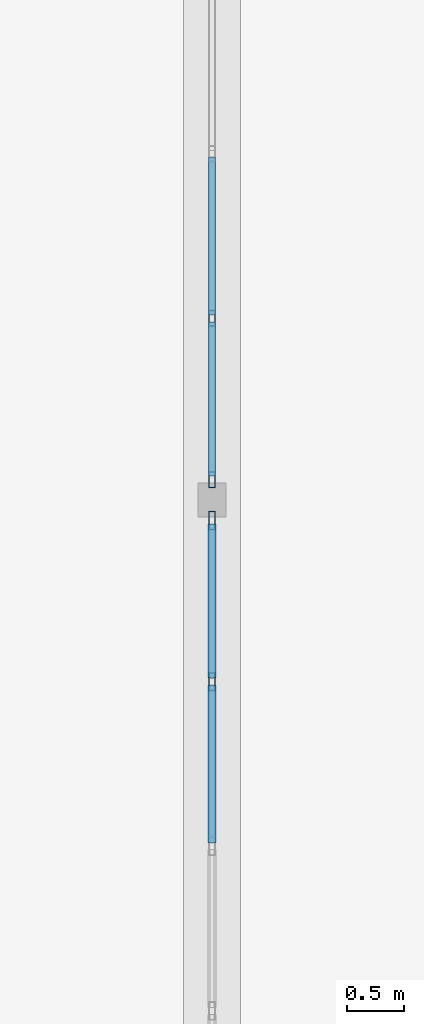
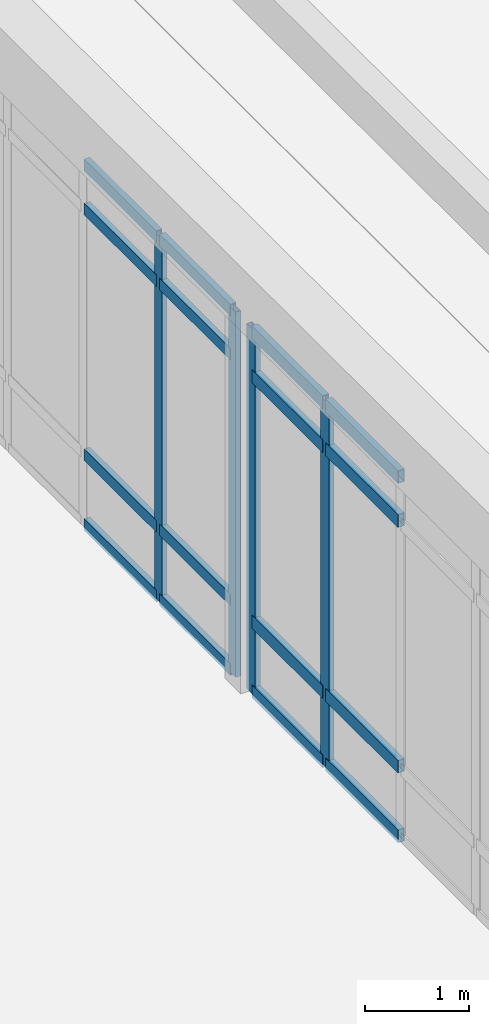
# One storey, part 41 of 138: 20 members, 2 elements without a shape of their own.
"""IFC4 building model written with IfcOpenShell, lengths in metres."""

from ifc_helpers import new_model, si_unit, direction, frame, origin, origin_2d, place, context, subcontext, project, spatial, hollow_rectangle, extrude, material, layer, layer_set, material_profile, profile_set, type_object, element, aggregate, save


model = new_model("IFC4")

# Units and contexts
model_context = context("Model", 3, precision=1e-05, world=origin(), true_north=direction((0.0, 1.0)))
body_context = subcontext(model_context, "Body", "Model", "MODEL_VIEW")
ifc_project = project(units=[si_unit("LENGTHUNIT", "METRE"), si_unit("AREAUNIT", "SQUARE_METRE"), si_unit("VOLUMEUNIT", "CUBIC_METRE"), si_unit("PLANEANGLEUNIT", "RADIAN"), si_unit("MASSUNIT", "GRAM", prefix="KILO")], contexts=[model_context])

# Site, building, storey
site_placement = place(None, origin())
site = spatial("IfcSite", under=ifc_project, at=site_placement, CompositionType="ELEMENT")
building_placement = place(site_placement, origin())
building = spatial("IfcBuilding", under=site, at=building_placement, Name="Fikremerkos Civic Library", CompositionType="ELEMENT")
storey_placement = place(building_placement, origin())
storey = spatial("IfcBuildingStorey", under=building, at=storey_placement, Name="L00", CompositionType="ELEMENT", Elevation=0.0)

# Curtain wall, members
ifc_material = material(Name="Anodized aluminium Frame", Category="aluminium")
ifc_layer_1 = layer(ifc_material, 0.159912109375, Name="Anodized aluminium Frame")
ifc_layer_set_1 = layer_set([ifc_layer_1], Name="Anodized aluminium Frame")
curtain_wall_type_1 = type_object("IfcCurtainWallType", Name="Unitised curtain wall CW-10 4000x3400", PredefinedType="USERDEFINED", material=ifc_layer_set_1)
curtain_wall_1_placement = place(storey_placement, origin())
curtain_wall_1 = element("IfcCurtainWall", 1, at=curtain_wall_1_placement, inside=storey, type_object=curtain_wall_type_1, Name="Unitised curtain wall CW-10 L00 #28", ObjectType="UNITISED CURTAIN WALL", PredefinedType="USERDEFINED")
ifc_material_profile_1 = material_profile(ifc_material, hollow_rectangle(XDim=0.06005859375, YDim=0.159912109375, WallThickness=0.00390625, at=origin_2d()), Name="ALU 160x60x4")
ifc_profile_set_1 = profile_set([ifc_material_profile_1], Name="Anodized aluminium Frame")
member_type_1 = type_object("IfcMemberType", Name="Curtain mullion CWM-02 ALU 160x60x4", PredefinedType="MULLION", material=ifc_profile_set_1)
member_1_placement = place(storey_placement, frame((124.800048828125, 81.767822265625, 0.0), z_axis=(0.0, 0.0, 1.0), x_axis=(-1.0, 0.0, 0.0)))
member_1 = element("IfcMember", 2, at=member_1_placement, type_object=member_type_1, Name="CW-10 mullion 4", PredefinedType="MULLION", context=body_context, shape_type="SweptSolid", body=[
    extrude(hollow_rectangle(XDim=0.06005859375, YDim=0.159912109375, WallThickness=0.00390625, at=origin_2d()), origin(), (0.0, 0.0, 1.0), 4.280029296875),
])
member_2_placement = place(storey_placement, frame((124.800048828125, 83.18603515625, 0.0), z_axis=(0.0, 0.0, 1.0), x_axis=(-1.0, 0.0, 0.0)))
member_2 = element("IfcMember", 3, at=member_2_placement, type_object=member_type_1, Name="CW-10 mullion 5", PredefinedType="MULLION", context=body_context, shape_type="SweptSolid", body=[
    extrude(hollow_rectangle(XDim=0.06005859375, YDim=0.159912109375, WallThickness=0.00390625, at=origin_2d()), origin(), (0.0, 0.0, 1.0), 4.280029296875),
])

ifc_layer_2 = layer(ifc_material, 0.159912109375, Name="Anodized aluminium Frame")
ifc_layer_set_2 = layer_set([ifc_layer_2], Name="Anodized aluminium Frame")
curtain_wall_type_2 = type_object("IfcCurtainWallType", Name="Unitised curtain wall CW-11 3200x3400", PredefinedType="USERDEFINED", material=ifc_layer_set_2)
curtain_wall_2_placement = place(storey_placement, origin())
curtain_wall_2 = element("IfcCurtainWall", 4, at=curtain_wall_2_placement, inside=storey, type_object=curtain_wall_type_2, Name="Unitised curtain wall CW-11 L00 #29", ObjectType="UNITISED CURTAIN WALL", PredefinedType="USERDEFINED")
ifc_material_profile_2 = material_profile(ifc_material, hollow_rectangle(XDim=0.06005859375, YDim=0.139892578125, WallThickness=0.00390625, at=origin_2d()), Name="ALU 140x60x4")
ifc_profile_set_2 = profile_set([ifc_material_profile_2], Name="Anodized aluminium Frame")
member_type_2 = type_object("IfcMemberType", Name="Curtain mullion CWM-03 ALU 140x60x4", PredefinedType="MULLION", material=ifc_profile_set_2)
member_3_placement = place(storey_placement, frame((124.800048828125, 83.5458984375, 0.0), z_axis=(0.0, 0.0, 1.0), x_axis=(-1.0, 0.0, 0.0)))
member_3 = element("IfcMember", 5, at=member_3_placement, type_object=member_type_2, Name="CW-11 mullion 1", PredefinedType="MULLION", context=body_context, shape_type="SweptSolid", body=[
    extrude(hollow_rectangle(XDim=0.06005859375, YDim=0.139892578125, WallThickness=0.00390625, at=origin_2d()), origin(), (0.0, 0.0, 1.0), 4.280029296875),
])
member_4_placement = place(storey_placement, frame((124.800048828125, 84.96435546875, 0.0), z_axis=(0.0, 0.0, 1.0), x_axis=(-1.0, 0.0, 0.0)))
member_4 = element("IfcMember", 6, at=member_4_placement, type_object=member_type_2, Name="CW-11 mullion 2", PredefinedType="MULLION", context=body_context, shape_type="SweptSolid", body=[
    extrude(hollow_rectangle(XDim=0.06005859375, YDim=0.139892578125, WallThickness=0.00390625, at=origin_2d()), origin(), (0.0, 0.0, 1.0), 4.280029296875),
])

# Member
ifc_material_profile_3 = material_profile(ifc_material, hollow_rectangle(XDim=0.070068359375, YDim=0.14990234375, WallThickness=0.00439453125, at=origin_2d()), Name="ALU 150x70x4.5")
ifc_profile_set_3 = profile_set([ifc_material_profile_3], Name="Anodized aluminium Frame")
member_type_3 = type_object("IfcMemberType", Name="Curtain transom CWT-01 ALU 150x70x4.5", PredefinedType="USERDEFINED", material=ifc_profile_set_3)
member_5_placement = place(storey_placement, frame((124.800048828125, 80.349609375, 0.034912109375), z_axis=(0.0, 1.0, 0.0), x_axis=(-1.0, 0.0, 0.0)))
member_5 = element("IfcMember", 7, at=member_5_placement, type_object=member_type_3, Name="CW-10 transom 3.1", ObjectType="TRANSOM", PredefinedType="USERDEFINED", context=body_context, shape_type="SweptSolid", body=[
    extrude(hollow_rectangle(XDim=0.070068359375, YDim=0.14990234375, WallThickness=0.00439453125, at=origin_2d()), origin(), (0.0, 0.0, 1.0), 1.38818359375),
])

member_6_placement = place(storey_placement, frame((124.800048828125, 80.349609375, 0.85009765625), z_axis=(0.0, 1.0, 0.0), x_axis=(-1.0, 0.0, 0.0)))
member_6 = element("IfcMember", 8, at=member_6_placement, type_object=member_type_3, Name="CW-10 transom 3.2", ObjectType="TRANSOM", PredefinedType="USERDEFINED", context=body_context, shape_type="SweptSolid", body=[
    extrude(hollow_rectangle(XDim=0.070068359375, YDim=0.14990234375, WallThickness=0.00439453125, at=origin_2d()), origin(), (0.0, 0.0, 1.0), 1.38818359375),
])

member_7_placement = place(storey_placement, frame((124.800048828125, 80.349609375, 3.72998046875), z_axis=(0.0, 1.0, 0.0), x_axis=(-1.0, 0.0, 0.0)))
member_7 = element("IfcMember", 9, at=member_7_placement, type_object=member_type_3, Name="CW-10 transom 3.3", ObjectType="TRANSOM", PredefinedType="USERDEFINED", context=body_context, shape_type="SweptSolid", body=[
    extrude(hollow_rectangle(XDim=0.070068359375, YDim=0.14990234375, WallThickness=0.00439453125, at=origin_2d()), origin(), (0.0, 0.0, 1.0), 1.38818359375),
])

member_8_placement = place(storey_placement, frame((124.800048828125, 80.349609375, 4.2451171875), z_axis=(0.0, 1.0, 0.0), x_axis=(-1.0, 0.0, 0.0)))
member_8 = element("IfcMember", 10, at=member_8_placement, type_object=member_type_3, Name="CW-10 transom 3.4", ObjectType="TRANSOM", PredefinedType="USERDEFINED", context=body_context, shape_type="SweptSolid", body=[
    extrude(hollow_rectangle(XDim=0.070068359375, YDim=0.14990234375, WallThickness=0.00439453125, at=origin_2d()), origin(), (0.0, 0.0, 1.0), 1.38818359375),
])

member_9_placement = place(storey_placement, frame((124.800048828125, 81.7978515625, 0.034912109375), z_axis=(0.0, 1.0, 0.0), x_axis=(-1.0, 0.0, 0.0)))
member_9 = element("IfcMember", 11, at=member_9_placement, type_object=member_type_3, Name="CW-10 transom 4.1", ObjectType="TRANSOM", PredefinedType="USERDEFINED", context=body_context, shape_type="SweptSolid", body=[
    extrude(hollow_rectangle(XDim=0.070068359375, YDim=0.14990234375, WallThickness=0.00439453125, at=origin_2d()), origin(), (0.0, 0.0, 1.0), 1.358154296875),
])

member_10_placement = place(storey_placement, frame((124.800048828125, 81.7978515625, 0.85009765625), z_axis=(0.0, 1.0, 0.0), x_axis=(-1.0, 0.0, 0.0)))
member_10 = element("IfcMember", 12, at=member_10_placement, type_object=member_type_3, Name="CW-10 transom 4.2", ObjectType="TRANSOM", PredefinedType="USERDEFINED", context=body_context, shape_type="SweptSolid", body=[
    extrude(hollow_rectangle(XDim=0.070068359375, YDim=0.14990234375, WallThickness=0.00439453125, at=origin_2d()), origin(), (0.0, 0.0, 1.0), 1.358154296875),
])

member_11_placement = place(storey_placement, frame((124.800048828125, 81.7978515625, 3.72998046875), z_axis=(0.0, 1.0, 0.0), x_axis=(-1.0, 0.0, 0.0)))
member_11 = element("IfcMember", 13, at=member_11_placement, type_object=member_type_3, Name="CW-10 transom 4.3", ObjectType="TRANSOM", PredefinedType="USERDEFINED", context=body_context, shape_type="SweptSolid", body=[
    extrude(hollow_rectangle(XDim=0.070068359375, YDim=0.14990234375, WallThickness=0.00439453125, at=origin_2d()), origin(), (0.0, 0.0, 1.0), 1.358154296875),
])

member_12_placement = place(storey_placement, frame((124.800048828125, 81.7978515625, 4.2451171875), z_axis=(0.0, 1.0, 0.0), x_axis=(-1.0, 0.0, 0.0)))
member_12 = element("IfcMember", 14, at=member_12_placement, type_object=member_type_3, Name="CW-10 transom 4.4", ObjectType="TRANSOM", PredefinedType="USERDEFINED", context=body_context, shape_type="SweptSolid", body=[
    extrude(hollow_rectangle(XDim=0.070068359375, YDim=0.14990234375, WallThickness=0.00439453125, at=origin_2d()), origin(), (0.0, 0.0, 1.0), 1.358154296875),
])

aggregate(curtain_wall_1, [member_1, member_2, member_5, member_6, member_7, member_8, member_9, member_10, member_11, member_12])

ifc_material_profile_4 = material_profile(ifc_material, hollow_rectangle(XDim=0.06494140625, YDim=0.135009765625, WallThickness=0.00439453125, at=origin_2d()), Name="ALU 135x65x4.5")
ifc_profile_set_4 = profile_set([ifc_material_profile_4], Name="Anodized aluminium Frame")
member_type_4 = type_object("IfcMemberType", Name="Curtain transom CWT-02 ALU 135x65x4.5", PredefinedType="USERDEFINED", material=ifc_profile_set_4)
member_13_placement = place(storey_placement, frame((124.800048828125, 83.575927734375, 0.032470703125), z_axis=(0.0, 1.0, 0.0), x_axis=(-1.0, 0.0, 0.0)))
member_13 = element("IfcMember", 15, at=member_13_placement, type_object=member_type_4, Name="CW-11 transom 1.1", ObjectType="TRANSOM", PredefinedType="USERDEFINED", context=body_context, shape_type="SweptSolid", body=[
    extrude(hollow_rectangle(XDim=0.06494140625, YDim=0.135009765625, WallThickness=0.00439453125, at=origin_2d()), origin(), (0.0, 0.0, 1.0), 1.3583984375),
])

member_14_placement = place(storey_placement, frame((124.800048828125, 83.575927734375, 0.85009765625), z_axis=(0.0, 1.0, 0.0), x_axis=(-1.0, 0.0, 0.0)))
member_14 = element("IfcMember", 16, at=member_14_placement, type_object=member_type_4, Name="CW-11 transom 1.2", ObjectType="TRANSOM", PredefinedType="USERDEFINED", context=body_context, shape_type="SweptSolid", body=[
    extrude(hollow_rectangle(XDim=0.06494140625, YDim=0.135009765625, WallThickness=0.00439453125, at=origin_2d()), origin(), (0.0, 0.0, 1.0), 1.3583984375),
])

member_15_placement = place(storey_placement, frame((124.800048828125, 83.575927734375, 3.72998046875), z_axis=(0.0, 1.0, 0.0), x_axis=(-1.0, 0.0, 0.0)))
member_15 = element("IfcMember", 17, at=member_15_placement, type_object=member_type_4, Name="CW-11 transom 1.3", ObjectType="TRANSOM", PredefinedType="USERDEFINED", context=body_context, shape_type="SweptSolid", body=[
    extrude(hollow_rectangle(XDim=0.06494140625, YDim=0.135009765625, WallThickness=0.00439453125, at=origin_2d()), origin(), (0.0, 0.0, 1.0), 1.3583984375),
])

member_16_placement = place(storey_placement, frame((124.800048828125, 83.575927734375, 4.24755859375), z_axis=(0.0, 1.0, 0.0), x_axis=(-1.0, 0.0, 0.0)))
member_16 = element("IfcMember", 18, at=member_16_placement, type_object=member_type_4, Name="CW-11 transom 1.4", ObjectType="TRANSOM", PredefinedType="USERDEFINED", context=body_context, shape_type="SweptSolid", body=[
    extrude(hollow_rectangle(XDim=0.06494140625, YDim=0.135009765625, WallThickness=0.00439453125, at=origin_2d()), origin(), (0.0, 0.0, 1.0), 1.3583984375),
])

member_17_placement = place(storey_placement, frame((124.800048828125, 84.994140625, 0.032470703125), z_axis=(0.0, 1.0, 0.0), x_axis=(-1.0, 0.0, 0.0)))
member_17 = element("IfcMember", 19, at=member_17_placement, type_object=member_type_4, Name="CW-11 transom 2.1", ObjectType="TRANSOM", PredefinedType="USERDEFINED", context=body_context, shape_type="SweptSolid", body=[
    extrude(hollow_rectangle(XDim=0.06494140625, YDim=0.135009765625, WallThickness=0.00439453125, at=origin_2d()), origin(), (0.0, 0.0, 1.0), 1.388427734375),
])

member_18_placement = place(storey_placement, frame((124.800048828125, 84.994140625, 0.85009765625), z_axis=(0.0, 1.0, 0.0), x_axis=(-1.0, 0.0, 0.0)))
member_18 = element("IfcMember", 20, at=member_18_placement, type_object=member_type_4, Name="CW-11 transom 2.2", ObjectType="TRANSOM", PredefinedType="USERDEFINED", context=body_context, shape_type="SweptSolid", body=[
    extrude(hollow_rectangle(XDim=0.06494140625, YDim=0.135009765625, WallThickness=0.00439453125, at=origin_2d()), origin(), (0.0, 0.0, 1.0), 1.388427734375),
])

member_19_placement = place(storey_placement, frame((124.800048828125, 84.994140625, 3.72998046875), z_axis=(0.0, 1.0, 0.0), x_axis=(-1.0, 0.0, 0.0)))
member_19 = element("IfcMember", 21, at=member_19_placement, type_object=member_type_4, Name="CW-11 transom 2.3", ObjectType="TRANSOM", PredefinedType="USERDEFINED", context=body_context, shape_type="SweptSolid", body=[
    extrude(hollow_rectangle(XDim=0.06494140625, YDim=0.135009765625, WallThickness=0.00439453125, at=origin_2d()), origin(), (0.0, 0.0, 1.0), 1.388427734375),
])

member_20_placement = place(storey_placement, frame((124.800048828125, 84.994140625, 4.24755859375), z_axis=(0.0, 1.0, 0.0), x_axis=(-1.0, 0.0, 0.0)))
member_20 = element("IfcMember", 22, at=member_20_placement, type_object=member_type_4, Name="CW-11 transom 2.4", ObjectType="TRANSOM", PredefinedType="USERDEFINED", context=body_context, shape_type="SweptSolid", body=[
    extrude(hollow_rectangle(XDim=0.06494140625, YDim=0.135009765625, WallThickness=0.00439453125, at=origin_2d()), origin(), (0.0, 0.0, 1.0), 1.388427734375),
])

aggregate(curtain_wall_2, [member_3, member_4, member_13, member_14, member_15, member_16, member_17, member_18, member_19, member_20])

save(model, "model.ifc")
